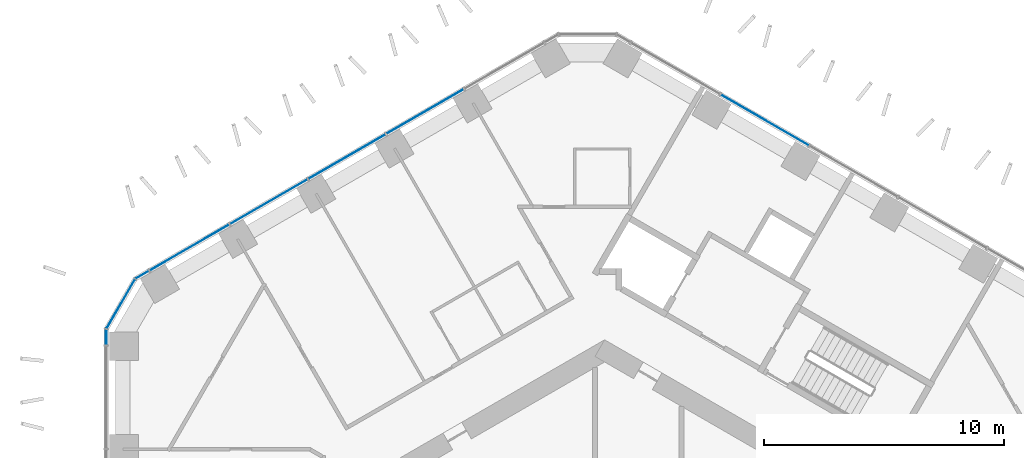
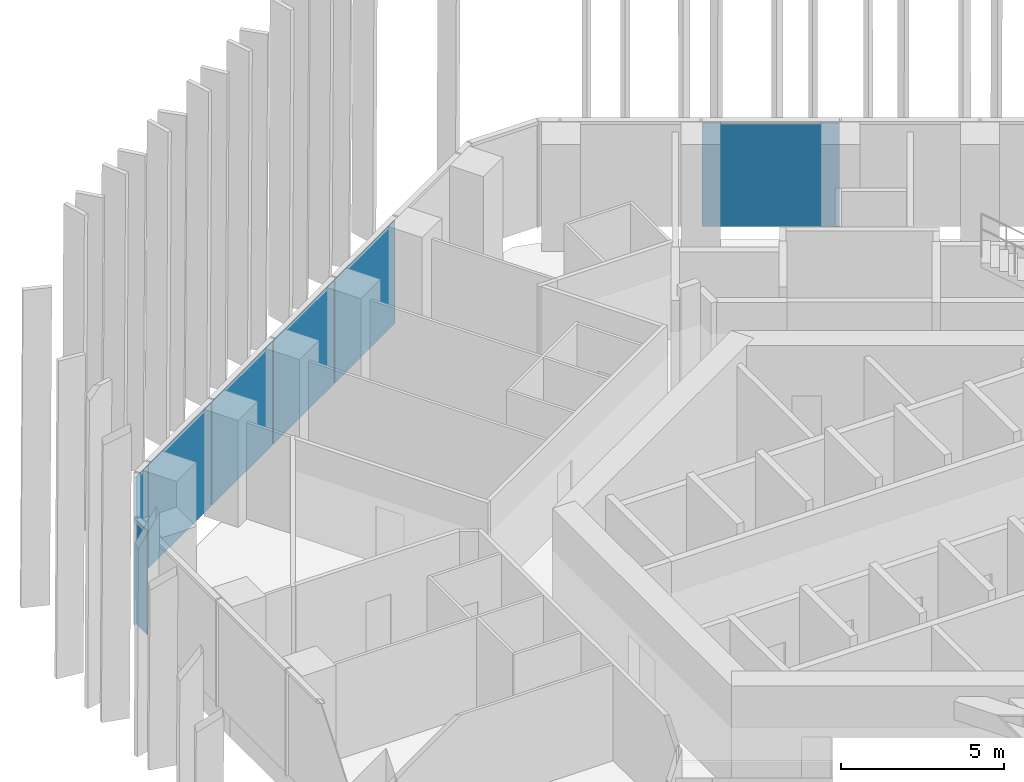
# One storey, part 16 of 29: 8 plates, 3 elements without a shape of their own.
"""IFC4 building model written with IfcOpenShell, lengths in metres."""

import ifcopenshell
import ifcopenshell.guid

model = None  # the IFC model being written
_history = None  # IfcOwnerHistory: only IFC2X3 demands one
_inside = {}  # id of a spatial element -> (the spatial element, [elements in it])
_under = {}  # id of a project, library or spatial element -> (it, [spatial elements below it])
_declared = {}  # id of a project -> (the project, [libraries it declares])
_typed = {}  # id of a type object -> (the type object, [elements of that type])
_made_of = {}  # id of a material, layer set ... -> (it, [elements and type objects made of it])


def new_model(schema):
    """Start an empty IFC model of exactly this schema.

    Asked for "IFC4X3", IfcOpenShell would pick the latest addendum, in which some entities
    have other attributes; the version numbers below select the first issue.
    IFC2X3 requires an IfcOwnerHistory on every rooted entity: one is made here for all.
    """
    global model, _history
    if schema == "IFC4X3":
        model = ifcopenshell.file(schema_version=(4, 3, 0, 0))
    else:
        model = ifcopenshell.file(schema=schema)
    _inside.clear()
    _under.clear()
    _declared.clear()
    _typed.clear()
    _made_of.clear()
    _history = None
    if model.schema == "IFC2X3":
        org = make("IfcOrganization", Name="unknown")
        user = make(
            "IfcPersonAndOrganization",
            ThePerson=make("IfcPerson", FamilyName="unknown"),
            TheOrganization=org,
        )
        app = make(
            "IfcApplication",
            ApplicationDeveloper=org,
            Version="unknown",
            ApplicationFullName="unknown",
            ApplicationIdentifier="unknown",
        )
        _history = make(
            "IfcOwnerHistory",
            OwningUser=user,
            OwningApplication=app,
            ChangeAction="ADDED",
            CreationDate=0,
        )
    return model


def make(cls, **values):
    """One entity of the class cls with the attributes given. An attribute that is None is left unset."""
    return model.create_entity(
        cls, **{name: value for name, value in values.items() if value is not None}
    )


def rooted(cls, **values):
    """An entity with a GlobalId (a new one), such as an element, a storey or a relation."""
    return make(cls, GlobalId=ifcopenshell.guid.new(), OwnerHistory=_history, **values)


def si_unit(unit_type, name, prefix=None):
    """IfcSIUnit, for example si_unit("LENGTHUNIT", "METRE", prefix="MILLI")."""
    return make("IfcSIUnit", UnitType=unit_type, Prefix=prefix, Name=name)


def assignment(units):
    """IfcUnitAssignment: the units of a project."""
    return None if units is None else make("IfcUnitAssignment", Units=units)


def point(xyz):
    """IfcCartesianPoint."""
    return None if xyz is None else make("IfcCartesianPoint", Coordinates=xyz)


def direction(xyz):
    """IfcDirection."""
    return None if xyz is None else make("IfcDirection", DirectionRatios=xyz)


def frame(location, z_axis=None, x_axis=None):
    """IfcAxis2Placement3D, a coordinate frame: its origin and axes. An axis left out is left unset."""
    return make(
        "IfcAxis2Placement3D",
        Location=point(location),
        Axis=direction(z_axis),
        RefDirection=direction(x_axis),
    )


def frame_2d(location, x_axis=None):
    """IfcAxis2Placement2D, a coordinate frame in the plane: its origin and x axis."""
    return make(
        "IfcAxis2Placement2D", Location=point(location), RefDirection=direction(x_axis)
    )


def origin():
    """The frame at (0, 0, 0) with its axes left unset."""
    return frame((0.0, 0.0, 0.0))


def origin_2d():
    """The frame at (0, 0) in the plane with its x axis left unset."""
    return frame_2d((0.0, 0.0))


def place(relative_to, where):
    """IfcLocalPlacement: puts the frame where relative to a parent placement (None: the world)."""
    return make(
        "IfcLocalPlacement", PlacementRelTo=relative_to, RelativePlacement=where
    )


def context(
    kind, dimensions, precision=None, world=None, true_north=None, identifier=None
):
    """IfcGeometricRepresentationContext, for example the 3D "Model" context."""
    return make(
        "IfcGeometricRepresentationContext",
        ContextIdentifier=identifier,
        ContextType=kind,
        CoordinateSpaceDimension=dimensions,
        Precision=precision,
        WorldCoordinateSystem=world,
        TrueNorth=true_north,
    )


def subcontext(parent, identifier, kind, view, scale=None):
    """IfcGeometricRepresentationSubContext, for example "Body" below "Model"."""
    return make(
        "IfcGeometricRepresentationSubContext",
        ContextIdentifier=identifier,
        ContextType=kind,
        ParentContext=parent,
        TargetScale=scale,
        TargetView=view,
    )


def project(units=None, contexts=None):
    """IfcProject with its units and contexts."""
    return rooted(
        "IfcProject",
        Name="project",
        RepresentationContexts=contexts,
        UnitsInContext=assignment(units),
    )


def spatial(cls, under=None, at=None, **own):
    """A site, building, storey or space (cls), placed at a placement, below another one or the project."""
    s = rooted(cls, ObjectPlacement=at, **own)
    if under is not None:
        _under.setdefault(under.id(), (under, []))[1].append(s)
    return s


def profile(cls, at=None, kind="AREA", **sizes):
    """A parametric profile (cls). Its sizes go by their IFC names, for example OverallWidth=200.0."""
    return make(cls, ProfileType=kind, Position=at, **sizes)


def rectangle(**sizes):
    """IfcRectangleProfileDef."""
    return profile("IfcRectangleProfileDef", **sizes)


def extrude(swept, where, along, depth):
    """IfcExtrudedAreaSolid: the profile swept, set in the frame where, extruded along a direction by depth."""
    return make(
        "IfcExtrudedAreaSolid",
        SweptArea=swept,
        Position=where,
        ExtrudedDirection=direction(along),
        Depth=depth,
    )


def shape(context_of_items, identifier, shape_type, items):
    """IfcShapeRepresentation: the items that make up one representation, for example the "Body"."""
    return make(
        "IfcShapeRepresentation",
        ContextOfItems=context_of_items,
        RepresentationIdentifier=identifier,
        RepresentationType=shape_type,
        Items=items,
    )


def material(Name=None, Category=None):
    """IfcMaterial."""
    return make("IfcMaterial", Name=Name, Category=Category)


def layer(
    of_material, thickness, ventilated=None, Name=None, Category=None, Priority=None
):
    """IfcMaterialLayer: one layer of a wall or slab, of a material (None: an air gap)."""
    return make(
        "IfcMaterialLayer",
        Material=of_material,
        LayerThickness=thickness,
        IsVentilated=ventilated,
        Name=Name,
        Category=Category,
        Priority=Priority,
    )


def layer_set(layers, Name=None):
    """IfcMaterialLayerSet."""
    return make("IfcMaterialLayerSet", MaterialLayers=layers, LayerSetName=Name)


def made_of(thing, what):
    """Note that an element or type object is made of a material, layer set ...; save() writes the relation."""
    if what is not None:
        _made_of.setdefault(what.id(), (what, []))[1].append(thing)
    return thing


def type_object(cls, material=None, **own):
    """A type object (cls), such as IfcWallType, which elements share."""
    return made_of(rooted(cls, **own), material)


def element(
    cls,
    number,
    at=None,
    inside=None,
    cuts=None,
    type_object=None,
    material=None,
    context=None,
    identifier="Body",
    shape_type=None,
    held_by="IfcProductDefinitionShape",
    body=None,
    shapes=None,
    **own,
):
    """One element of the class cls, such as IfcWall. Its Tag is "e" and its number.

    at: its placement. inside: the storey or other place that contains it. cuts: it is an
    opening in that element (IfcRelVoidsElement). A single representation is given by context,
    identifier, shape_type and body (its items); several are given by shapes. held_by: the class
    of the entity that holds the representations. save() writes the other relations.
    """
    e = rooted(cls, Tag="e%d" % number, ObjectPlacement=at, **own)
    if body is not None:
        shapes = [shape(context, identifier, shape_type, body)]
    if shapes is not None:
        e.Representation = make(held_by, Representations=shapes)
    if inside is not None:
        _inside.setdefault(inside.id(), (inside, []))[1].append(e)
    if cuts is not None:
        rooted(
            "IfcRelVoidsElement", RelatingBuildingElement=cuts, RelatedOpeningElement=e
        )
    if type_object is not None:
        _typed.setdefault(type_object.id(), (type_object, []))[1].append(e)
    return made_of(e, material)


def aggregate(whole, parts):
    """IfcRelAggregates: a whole, such as a stair, and the parts it consists of."""
    return rooted("IfcRelAggregates", RelatingObject=whole, RelatedObjects=parts)


def save(model, path):
    """Write the relations noted so far, then the file.

    IfcRelAggregates (storeys below a building ...), IfcRelContainedInSpatialStructure (elements
    in a storey), IfcRelDefinesByType, IfcRelAssociatesMaterial and IfcRelDeclares: one each for
    every whole, place, type object, material and project.
    """
    for whole, parts in _under.values():
        aggregate(whole, parts)
    for where, things in _inside.values():
        rooted(
            "IfcRelContainedInSpatialStructure",
            RelatedElements=things,
            RelatingStructure=where,
        )
    for kind, things in _typed.values():
        rooted("IfcRelDefinesByType", RelatedObjects=things, RelatingType=kind)
    for what, things in _made_of.values():
        rooted("IfcRelAssociatesMaterial", RelatedObjects=things, RelatingMaterial=what)
    for by, libraries in _declared.values():
        rooted("IfcRelDeclares", RelatingContext=by, RelatedDefinitions=libraries)
    model.write(path)


model = new_model("IFC4")

# Units and contexts
model_context = context("Model", 3, precision=1e-05, world=origin(), true_north=direction((0.0, 1.0)))
body_context = subcontext(model_context, "Body", "Model", "MODEL_VIEW")
ifc_project = project(units=[si_unit("LENGTHUNIT", "METRE"), si_unit("AREAUNIT", "SQUARE_METRE"), si_unit("VOLUMEUNIT", "CUBIC_METRE"), si_unit("PLANEANGLEUNIT", "RADIAN"), si_unit("MASSUNIT", "GRAM", prefix="KILO")], contexts=[model_context])

# Site, building, storey
site_placement = place(None, origin())
site = spatial("IfcSite", under=ifc_project, at=site_placement, CompositionType="ELEMENT")
building_placement = place(site_placement, origin())
building = spatial("IfcBuilding", under=site, at=building_placement, Name="Ayvan Gate Tower", CompositionType="ELEMENT")
storey_placement = place(building_placement, frame((0.0, 0.0, 66.300048828125)))
storey = spatial("IfcBuildingStorey", under=building, at=storey_placement, Name="L17", CompositionType="ELEMENT", Elevation=66.300048828125)

# Curtain wall, plate
ifc_material_1 = material(Name="Bronze anodised aluminium", Category="aluminium")
ifc_layer_1 = layer(ifc_material_1, 0.199951171875)
ifc_layer_set_1 = layer_set([ifc_layer_1], Name="Bronze anodised aluminium")
curtain_wall_type_1 = type_object("IfcCurtainWallType", Name="Stick curtain wall CW-1", PredefinedType="NOTDEFINED", material=ifc_layer_set_1)
curtain_wall_1_placement = place(storey_placement, origin())
curtain_wall_1 = element("IfcCurtainWall", 1, at=curtain_wall_1_placement, inside=storey, type_object=curtain_wall_type_1, Name="Stick curtain wall CW-1 L17", PredefinedType="NOTDEFINED")
ifc_material_2 = material(Name="Clear low-iron laminated glass", Category="glass")
ifc_layer_2 = layer(ifc_material_2, 0.028076171875)
ifc_layer_set_2 = layer_set([ifc_layer_2], Name="Clear low-iron laminated glass")
plate_type_1 = type_object("IfcPlateType", Name="Stick curtain wall CW-1 glass panel", PredefinedType="CURTAIN_PANEL", material=ifc_layer_set_2)
plate_1_placement = place(storey_placement, frame((6.679931640625, 20.12939453125, 0.0), z_axis=(0.0, 0.0, 1.0), x_axis=(-0.866025403784, 0.5, 0.0)))
plate_1 = element("IfcPlate", 2, at=plate_1_placement, type_object=plate_type_1, Name="CW-1 glass panel 4", PredefinedType="CURTAIN_PANEL", context=body_context, shape_type="SweptSolid", body=[
    extrude(rectangle(XDim=4.219970703125, YDim=0.028076171875, at=origin_2d()), origin(), (0.0, 0.0, 1.0), 3.8798828125),
])
aggregate(curtain_wall_1, [plate_1])

# Curtain wall, plates
curtain_wall_2_placement = place(storey_placement, origin())
curtain_wall_2 = element("IfcCurtainWall", 3, at=curtain_wall_2_placement, inside=storey, type_object=curtain_wall_type_1, Name="Stick curtain wall CW-1 L17", PredefinedType="NOTDEFINED")
plate_2_placement = place(storey_placement, frame((-7.484619140625, 20.487060546875, 0.0), z_axis=(0.0, 0.0, 1.0), x_axis=(-0.866025403784, -0.5, 0.0)))
plate_2 = element("IfcPlate", 4, at=plate_2_placement, type_object=plate_type_1, Name="CW-1 glass panel 2", PredefinedType="CURTAIN_PANEL", context=body_context, shape_type="SweptSolid", body=[
    extrude(rectangle(XDim=3.701904296875, YDim=0.028076171875, at=origin_2d()), origin(), (0.0, 0.0, 1.0), 3.8798828125),
])
plate_3_placement = place(storey_placement, frame((-10.742431640625, 18.606201171875, 0.0), z_axis=(0.0, 0.0, 1.0), x_axis=(-0.866025403784, -0.5, 0.0)))
plate_3 = element("IfcPlate", 5, at=plate_3_placement, type_object=plate_type_1, Name="CW-1 glass panel 3", PredefinedType="CURTAIN_PANEL", context=body_context, shape_type="SweptSolid", body=[
    extrude(rectangle(XDim=3.701904296875, YDim=0.028076171875, at=origin_2d()), origin(), (0.0, 0.0, 1.0), 3.8798828125),
])
plate_4_placement = place(storey_placement, frame((-14.00048828125, 16.72509765625, 0.0), z_axis=(0.0, 0.0, 1.0), x_axis=(-0.866025403784, -0.5, 0.0)))
plate_4 = element("IfcPlate", 6, at=plate_4_placement, type_object=plate_type_1, Name="CW-1 glass panel 4", PredefinedType="CURTAIN_PANEL", context=body_context, shape_type="SweptSolid", body=[
    extrude(rectangle(XDim=3.701904296875, YDim=0.028076171875, at=origin_2d()), origin(), (0.0, 0.0, 1.0), 3.8798828125),
])
plate_5_placement = place(storey_placement, frame((-17.31591796875, 14.81103515625, 0.0), z_axis=(0.0, 0.0, 1.0), x_axis=(-0.866025403784, -0.5, 0.0)))
plate_5 = element("IfcPlate", 7, at=plate_5_placement, type_object=plate_type_1, Name="CW-1 glass panel 5", PredefinedType="CURTAIN_PANEL", context=body_context, shape_type="SweptSolid", body=[
    extrude(rectangle(XDim=3.83447265625, YDim=0.028076171875, at=origin_2d()), origin(), (0.0, 0.0, 1.0), 3.8798828125),
])
aggregate(curtain_wall_2, [plate_2, plate_3, plate_4, plate_5])

ifc_layer_3 = layer(ifc_material_1, 0.199951171875)
ifc_layer_set_3 = layer_set([ifc_layer_3], Name="Bronze anodised aluminium")
curtain_wall_type_2 = type_object("IfcCurtainWallType", Name="Stick curtain wall CW-6", PredefinedType="NOTDEFINED", material=ifc_layer_set_3)
curtain_wall_3_placement = place(storey_placement, origin())
curtain_wall_3 = element("IfcCurtainWall", 8, at=curtain_wall_3_placement, inside=storey, type_object=curtain_wall_type_2, Name="Stick curtain wall CW-6 L17", PredefinedType="NOTDEFINED")
ifc_layer_4 = layer(ifc_material_2, 0.028076171875)
ifc_layer_set_4 = layer_set([ifc_layer_4], Name="Clear low-iron laminated glass")
plate_type_2 = type_object("IfcPlateType", Name="Stick curtain wall CW-6 glass panel", PredefinedType="CURTAIN_PANEL", material=ifc_layer_set_4)
plate_6_placement = place(storey_placement, frame((-19.27294921875, 13.68115234375, 0.0), z_axis=(0.0, 0.0, 1.0), x_axis=(-0.866025403784, -0.5, 0.0)))
plate_6 = element("IfcPlate", 9, at=plate_6_placement, type_object=plate_type_2, Name="CW-6 glass panel 1", PredefinedType="CURTAIN_PANEL", context=body_context, shape_type="SweptSolid", body=[
    extrude(rectangle(XDim=0.625, YDim=0.028076171875, at=origin_2d()), origin(), (0.0, 0.0, 1.0), 3.8798828125),
])
plate_7_placement = place(storey_placement, frame((-20.168701171875, 12.466796875, 0.0), z_axis=(0.0, 0.0, 1.0), x_axis=(-0.5, -0.866025403784, 0.0)))
plate_7 = element("IfcPlate", 10, at=plate_7_placement, type_object=plate_type_2, Name="CW-6 glass panel 2", PredefinedType="CURTAIN_PANEL", context=body_context, shape_type="SweptSolid", body=[
    extrude(rectangle(XDim=2.364501953125, YDim=0.028076171875, at=origin_2d()), origin(), (0.0, 0.0, 1.0), 3.8798828125),
])
plate_8_placement = place(storey_placement, frame((-20.7724609375, 11.083740234375, 0.0), z_axis=(0.0, 0.0, 1.0), x_axis=(0.0, -1.0, 0.0)))
plate_8 = element("IfcPlate", 11, at=plate_8_placement, type_object=plate_type_2, Name="CW-6 glass panel 3", PredefinedType="CURTAIN_PANEL", context=body_context, shape_type="SweptSolid", body=[
    extrude(rectangle(XDim=0.625, YDim=0.028076171875, at=origin_2d()), origin(), (0.0, 0.0, 1.0), 3.8798828125),
])
aggregate(curtain_wall_3, [plate_6, plate_7, plate_8])

save(model, "model.ifc")
